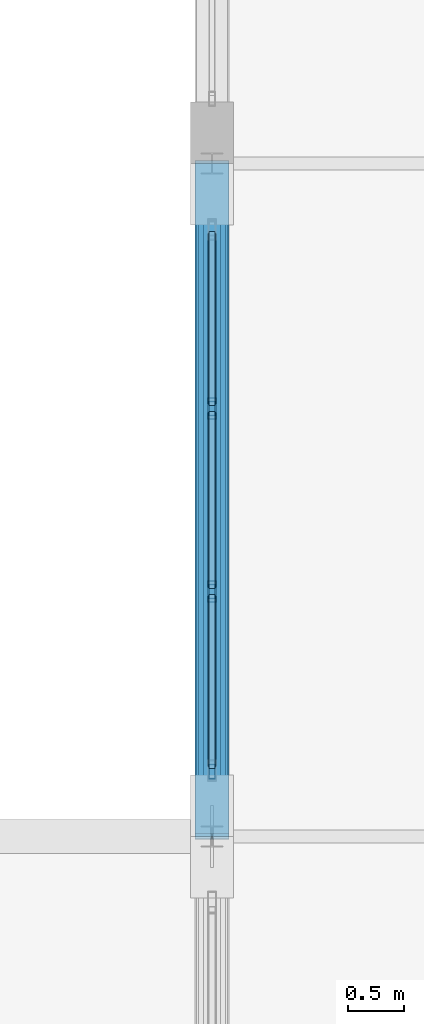
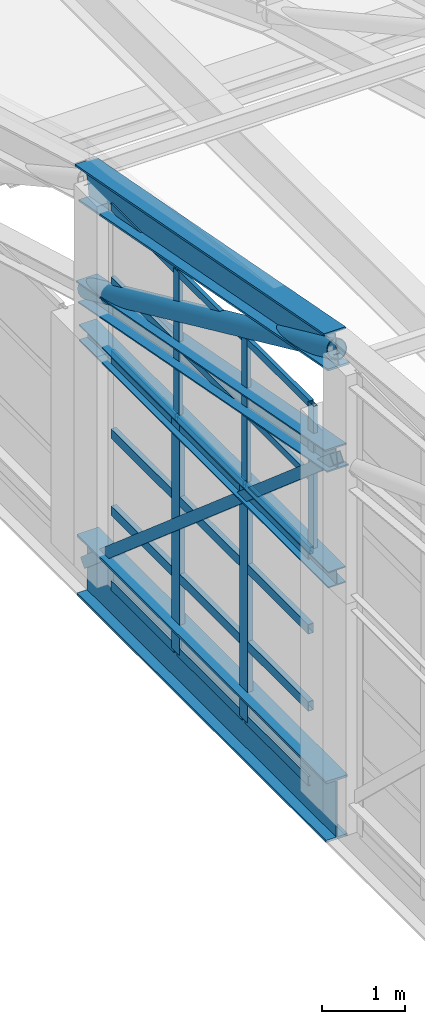
# One storey, part 84 of 204: 32 members, 2 elements without a shape of their own.
"""IFC4 building model written with IfcOpenShell, lengths in metres."""

from ifc_helpers import new_model, si_unit, direction, frame, origin, origin_2d, place, context, subcontext, project, spatial, hollow_rectangle, hollow_circle, i_section, extrude, material, layer, layer_set, material_profile, profile_set, type_object, element, aggregate, save


model = new_model("IFC4")

# Units and contexts
model_context = context("Model", 3, precision=1e-05, world=origin(), true_north=direction((0.0, 1.0)))
body_context = subcontext(model_context, "Body", "Model", "MODEL_VIEW")
ifc_project = project(units=[si_unit("LENGTHUNIT", "METRE"), si_unit("AREAUNIT", "SQUARE_METRE"), si_unit("VOLUMEUNIT", "CUBIC_METRE"), si_unit("PLANEANGLEUNIT", "RADIAN"), si_unit("MASSUNIT", "GRAM", prefix="KILO")], contexts=[model_context])

# Site, building, storey
site_placement = place(None, origin())
site = spatial("IfcSite", under=ifc_project, at=site_placement, CompositionType="ELEMENT")
building_placement = place(site_placement, origin())
building = spatial("IfcBuilding", under=site, at=building_placement, Name="Zilviju Railside Exhibition Hall", CompositionType="ELEMENT")
storey_placement = place(building_placement, frame((0.0, 0.0, 21.0)))
storey = spatial("IfcBuildingStorey", under=building, at=storey_placement, Name="RF", CompositionType="ELEMENT", Elevation=21.0)

# Curtain wall, members
ifc_material_1 = material(Name="Thermally broken aluminium-steel triple-glazed curtain wall", Category="steel")
ifc_layer_1 = layer(ifc_material_1, 0.179931640625)
ifc_layer_set_1 = layer_set([ifc_layer_1], Name="Thermally broken aluminium-steel triple-glazed curtain wall")
curtain_wall_type_1 = type_object("IfcCurtainWallType", Name="CW-BAY-12", PredefinedType="USERDEFINED", material=ifc_layer_set_1)
curtain_wall_1_placement = place(storey_placement, origin())
curtain_wall_1 = element("IfcCurtainWall", 1, at=curtain_wall_1_placement, inside=storey, type_object=curtain_wall_type_1, Name="North Hall Crown Arch Tympanum Glazing West P7", ObjectType="GLAZED CURTAIN WALL", PredefinedType="USERDEFINED")
ifc_material_2 = material(Name="Thermally broken anodized aluminium mullion", Category="aluminium")
ifc_material_profile_1 = material_profile(ifc_material_2, hollow_rectangle(XDim=0.054931640625, YDim=0.1298828125, WallThickness=0.0048828125, at=origin_2d()), Name="MULLION 130x55x5")
ifc_profile_set_1 = profile_set([ifc_material_profile_1], Name="Thermally broken anodized aluminium mullion")
member_type_1 = type_object("IfcMemberType", Name="CWM-55x130", PredefinedType="MULLION", material=ifc_profile_set_1)
member_1_placement = place(storey_placement, frame((78.0, 120.577392578125, -0.199951171875), z_axis=(0.0, 0.0, 1.0), x_axis=(-1.0, 0.0, 0.0)))
member_1 = element("IfcMember", 2, at=member_1_placement, type_object=member_type_1, Name="CW-12 mullion 1", PredefinedType="MULLION", context=body_context, shape_type="SweptSolid", body=[
    extrude(hollow_rectangle(XDim=0.054931640625, YDim=0.1298828125, WallThickness=0.0048828125, at=origin_2d()), origin(), (0.0, 0.0, 1.0), 2.209716796875),
])
member_2_placement = place(storey_placement, frame((78.0, 122.183349609375, -0.199951171875), z_axis=(0.0, 0.0, 1.0), x_axis=(-1.0, 0.0, 0.0)))
member_2 = element("IfcMember", 3, at=member_2_placement, type_object=member_type_1, Name="CW-12 mullion 2", PredefinedType="MULLION", context=body_context, shape_type="SweptSolid", body=[
    extrude(hollow_rectangle(XDim=0.054931640625, YDim=0.1298828125, WallThickness=0.0048828125, at=origin_2d()), origin(), (0.0, 0.0, 1.0), 2.209716796875),
])
member_3_placement = place(storey_placement, frame((78.0, 123.816650390625, -0.199951171875), z_axis=(0.0, 0.0, 1.0), x_axis=(-1.0, 0.0, 0.0)))
member_3 = element("IfcMember", 4, at=member_3_placement, type_object=member_type_1, Name="CW-12 mullion 3", PredefinedType="MULLION", context=body_context, shape_type="SweptSolid", body=[
    extrude(hollow_rectangle(XDim=0.054931640625, YDim=0.1298828125, WallThickness=0.0048828125, at=origin_2d()), origin(), (0.0, 0.0, 1.0), 2.209716796875),
])

ifc_layer_2 = layer(ifc_material_1, 0.179931640625)
ifc_layer_set_2 = layer_set([ifc_layer_2], Name="Thermally broken aluminium-steel triple-glazed curtain wall")
curtain_wall_type_2 = type_object("IfcCurtainWallType", Name="CW-BAY-05", PredefinedType="USERDEFINED", material=ifc_layer_set_2)
curtain_wall_2_placement = place(storey_placement, origin())
curtain_wall_2 = element("IfcCurtainWall", 5, at=curtain_wall_2_placement, inside=storey, type_object=curtain_wall_type_2, Name="North Hall Arch Lower Tympanum Glazing West P7", ObjectType="GLAZED CURTAIN WALL", PredefinedType="USERDEFINED")
ifc_material_profile_2 = material_profile(ifc_material_2, hollow_rectangle(XDim=0.074951171875, YDim=0.18994140625, WallThickness=0.0048828125, at=origin_2d()), Name="MULLION 190x75x5")
ifc_profile_set_2 = profile_set([ifc_material_profile_2], Name="Thermally broken anodized aluminium mullion")
member_type_2 = type_object("IfcMemberType", Name="CWM-75x190", PredefinedType="MULLION", material=ifc_profile_set_2)
member_4_placement = place(storey_placement, frame((78.0, 122.183349609375, -3.60009765625), z_axis=(0.0, 0.0, 1.0), x_axis=(-1.0, 0.0, 0.0)))
member_4 = element("IfcMember", 6, at=member_4_placement, type_object=member_type_2, Name="CW-05 mullion 2", PredefinedType="MULLION", context=body_context, shape_type="SweptSolid", body=[
    extrude(hollow_rectangle(XDim=0.074951171875, YDim=0.18994140625, WallThickness=0.0048828125, at=origin_2d()), origin(), (0.0, 0.0, 1.0), 3.400146484375),
])
member_5_placement = place(storey_placement, frame((78.0, 123.816650390625, -3.60009765625), z_axis=(0.0, 0.0, 1.0), x_axis=(-1.0, 0.0, 0.0)))
member_5 = element("IfcMember", 7, at=member_5_placement, type_object=member_type_2, Name="CW-05 mullion 3", PredefinedType="MULLION", context=body_context, shape_type="SweptSolid", body=[
    extrude(hollow_rectangle(XDim=0.074951171875, YDim=0.18994140625, WallThickness=0.0048828125, at=origin_2d()), origin(), (0.0, 0.0, 1.0), 3.400146484375),
])

# Member
ifc_material_3 = material(Name="Thermally broken anodized aluminium transom", Category="aluminium")
ifc_material_profile_3 = material_profile(ifc_material_3, hollow_rectangle(XDim=0.054931640625, YDim=0.10498046875, WallThickness=0.0048828125, at=origin_2d()), Name="TRANSOM 105x55x5")
ifc_profile_set_3 = profile_set([ifc_material_profile_3], Name="Thermally broken anodized aluminium transom")
member_type_3 = type_object("IfcMemberType", Name="CWT-55x105", PredefinedType="USERDEFINED", material=ifc_profile_set_3)
member_6_placement = place(storey_placement, frame((78.0, 120.60498046875, -0.172607421875), z_axis=(0.0, 1.0, 0.0), x_axis=(-1.0, 0.0, 0.0)))
member_6 = element("IfcMember", 8, at=member_6_placement, type_object=member_type_3, Name="CW-12 transom 1.1", ObjectType="TRANSOM", PredefinedType="USERDEFINED", context=body_context, shape_type="SweptSolid", body=[
    extrude(hollow_rectangle(XDim=0.054931640625, YDim=0.10498046875, WallThickness=0.0048828125, at=origin_2d()), origin(), (0.0, 0.0, 1.0), 1.55078125),
])

member_7_placement = place(storey_placement, frame((78.0, 120.60498046875, 0.905029296875), z_axis=(0.0, 1.0, 0.0), x_axis=(-1.0, 0.0, 0.0)))
member_7 = element("IfcMember", 9, at=member_7_placement, type_object=member_type_3, Name="CW-12 transom 1.2", ObjectType="TRANSOM", PredefinedType="USERDEFINED", context=body_context, shape_type="SweptSolid", body=[
    extrude(hollow_rectangle(XDim=0.054931640625, YDim=0.10498046875, WallThickness=0.0048828125, at=origin_2d()), origin(), (0.0, 0.0, 1.0), 1.55078125),
])

member_8_placement = place(storey_placement, frame((78.0, 120.60498046875, 1.982421875), z_axis=(0.0, 1.0, 0.0), x_axis=(-1.0, 0.0, 0.0)))
member_8 = element("IfcMember", 10, at=member_8_placement, type_object=member_type_3, Name="CW-12 transom 1.3", ObjectType="TRANSOM", PredefinedType="USERDEFINED", context=body_context, shape_type="SweptSolid", body=[
    extrude(hollow_rectangle(XDim=0.054931640625, YDim=0.10498046875, WallThickness=0.0048828125, at=origin_2d()), origin(), (0.0, 0.0, 1.0), 1.55078125),
])

member_9_placement = place(storey_placement, frame((78.0, 122.2109375, -0.172607421875), z_axis=(0.0, 1.0, 0.0), x_axis=(-1.0, 0.0, 0.0)))
member_9 = element("IfcMember", 11, at=member_9_placement, type_object=member_type_3, Name="CW-12 transom 2.1", ObjectType="TRANSOM", PredefinedType="USERDEFINED", context=body_context, shape_type="SweptSolid", body=[
    extrude(hollow_rectangle(XDim=0.054931640625, YDim=0.10498046875, WallThickness=0.0048828125, at=origin_2d()), origin(), (0.0, 0.0, 1.0), 1.578125),
])

member_10_placement = place(storey_placement, frame((78.0, 122.2109375, 0.905029296875), z_axis=(0.0, 1.0, 0.0), x_axis=(-1.0, 0.0, 0.0)))
member_10 = element("IfcMember", 12, at=member_10_placement, type_object=member_type_3, Name="CW-12 transom 2.2", ObjectType="TRANSOM", PredefinedType="USERDEFINED", context=body_context, shape_type="SweptSolid", body=[
    extrude(hollow_rectangle(XDim=0.054931640625, YDim=0.10498046875, WallThickness=0.0048828125, at=origin_2d()), origin(), (0.0, 0.0, 1.0), 1.578125),
])

member_11_placement = place(storey_placement, frame((78.0, 122.2109375, 1.982421875), z_axis=(0.0, 1.0, 0.0), x_axis=(-1.0, 0.0, 0.0)))
member_11 = element("IfcMember", 13, at=member_11_placement, type_object=member_type_3, Name="CW-12 transom 2.3", ObjectType="TRANSOM", PredefinedType="USERDEFINED", context=body_context, shape_type="SweptSolid", body=[
    extrude(hollow_rectangle(XDim=0.054931640625, YDim=0.10498046875, WallThickness=0.0048828125, at=origin_2d()), origin(), (0.0, 0.0, 1.0), 1.578125),
])

member_12_placement = place(storey_placement, frame((78.0, 123.84423828125, -0.172607421875), z_axis=(0.0, 1.0, 0.0), x_axis=(-1.0, 0.0, 0.0)))
member_12 = element("IfcMember", 14, at=member_12_placement, type_object=member_type_3, Name="CW-12 transom 3.1", ObjectType="TRANSOM", PredefinedType="USERDEFINED", context=body_context, shape_type="SweptSolid", body=[
    extrude(hollow_rectangle(XDim=0.054931640625, YDim=0.10498046875, WallThickness=0.0048828125, at=origin_2d()), origin(), (0.0, 0.0, 1.0), 1.55078125),
])

member_13_placement = place(storey_placement, frame((78.0, 123.84423828125, 0.905029296875), z_axis=(0.0, 1.0, 0.0), x_axis=(-1.0, 0.0, 0.0)))
member_13 = element("IfcMember", 15, at=member_13_placement, type_object=member_type_3, Name="CW-12 transom 3.2", ObjectType="TRANSOM", PredefinedType="USERDEFINED", context=body_context, shape_type="SweptSolid", body=[
    extrude(hollow_rectangle(XDim=0.054931640625, YDim=0.10498046875, WallThickness=0.0048828125, at=origin_2d()), origin(), (0.0, 0.0, 1.0), 1.55078125),
])

member_14_placement = place(storey_placement, frame((78.0, 123.84423828125, 1.982421875), z_axis=(0.0, 1.0, 0.0), x_axis=(-1.0, 0.0, 0.0)))
member_14 = element("IfcMember", 16, at=member_14_placement, type_object=member_type_3, Name="CW-12 transom 3.3", ObjectType="TRANSOM", PredefinedType="USERDEFINED", context=body_context, shape_type="SweptSolid", body=[
    extrude(hollow_rectangle(XDim=0.054931640625, YDim=0.10498046875, WallThickness=0.0048828125, at=origin_2d()), origin(), (0.0, 0.0, 1.0), 1.55078125),
])

aggregate(curtain_wall_1, [member_1, member_2, member_3, member_6, member_7, member_8, member_9, member_10, member_11, member_12, member_13, member_14])

ifc_material_profile_4 = material_profile(ifc_material_3, hollow_rectangle(XDim=0.074951171875, YDim=0.139892578125, WallThickness=0.0048828125, at=origin_2d()), Name="TRANSOM 140x75x5")
ifc_profile_set_4 = profile_set([ifc_material_profile_4], Name="Thermally broken anodized aluminium transom")
member_type_4 = type_object("IfcMemberType", Name="CWT-75x140", PredefinedType="USERDEFINED", material=ifc_profile_set_4)
member_15_placement = place(storey_placement, frame((78.0, 120.625, -3.5625), z_axis=(0.0, 1.0, 0.0), x_axis=(-1.0, 0.0, 0.0)))
member_15 = element("IfcMember", 17, at=member_15_placement, type_object=member_type_4, Name="CW-05 transom 1.1", ObjectType="TRANSOM", PredefinedType="USERDEFINED", context=body_context, shape_type="SweptSolid", body=[
    extrude(hollow_rectangle(XDim=0.074951171875, YDim=0.139892578125, WallThickness=0.0048828125, at=origin_2d()), origin(), (0.0, 0.0, 1.0), 1.520751953125),
])

member_16_placement = place(storey_placement, frame((78.0, 120.625, -2.467041015625), z_axis=(0.0, 1.0, 0.0), x_axis=(-1.0, 0.0, 0.0)))
member_16 = element("IfcMember", 18, at=member_16_placement, type_object=member_type_4, Name="CW-05 transom 1.2", ObjectType="TRANSOM", PredefinedType="USERDEFINED", context=body_context, shape_type="SweptSolid", body=[
    extrude(hollow_rectangle(XDim=0.074951171875, YDim=0.139892578125, WallThickness=0.0048828125, at=origin_2d()), origin(), (0.0, 0.0, 1.0), 1.520751953125),
])

member_17_placement = place(storey_placement, frame((78.0, 120.625, -1.3330078125), z_axis=(0.0, 1.0, 0.0), x_axis=(-1.0, 0.0, 0.0)))
member_17 = element("IfcMember", 19, at=member_17_placement, type_object=member_type_4, Name="CW-05 transom 1.3", ObjectType="TRANSOM", PredefinedType="USERDEFINED", context=body_context, shape_type="SweptSolid", body=[
    extrude(hollow_rectangle(XDim=0.074951171875, YDim=0.139892578125, WallThickness=0.0048828125, at=origin_2d()), origin(), (0.0, 0.0, 1.0), 1.520751953125),
])

member_18_placement = place(storey_placement, frame((78.0, 120.625, -0.237548828125), z_axis=(0.0, 1.0, 0.0), x_axis=(-1.0, 0.0, 0.0)))
member_18 = element("IfcMember", 20, at=member_18_placement, type_object=member_type_4, Name="CW-05 transom 1.4", ObjectType="TRANSOM", PredefinedType="USERDEFINED", context=body_context, shape_type="SweptSolid", body=[
    extrude(hollow_rectangle(XDim=0.074951171875, YDim=0.139892578125, WallThickness=0.0048828125, at=origin_2d()), origin(), (0.0, 0.0, 1.0), 1.520751953125),
])

member_19_placement = place(storey_placement, frame((78.0, 122.220947265625, -3.5625), z_axis=(0.0, 1.0, 0.0), x_axis=(-1.0, 0.0, 0.0)))
member_19 = element("IfcMember", 21, at=member_19_placement, type_object=member_type_4, Name="CW-05 transom 2.1", ObjectType="TRANSOM", PredefinedType="USERDEFINED", context=body_context, shape_type="SweptSolid", body=[
    extrude(hollow_rectangle(XDim=0.074951171875, YDim=0.139892578125, WallThickness=0.0048828125, at=origin_2d()), origin(), (0.0, 0.0, 1.0), 1.55810546875),
])

member_20_placement = place(storey_placement, frame((78.0, 122.220947265625, -2.467041015625), z_axis=(0.0, 1.0, 0.0), x_axis=(-1.0, 0.0, 0.0)))
member_20 = element("IfcMember", 22, at=member_20_placement, type_object=member_type_4, Name="CW-05 transom 2.2", ObjectType="TRANSOM", PredefinedType="USERDEFINED", context=body_context, shape_type="SweptSolid", body=[
    extrude(hollow_rectangle(XDim=0.074951171875, YDim=0.139892578125, WallThickness=0.0048828125, at=origin_2d()), origin(), (0.0, 0.0, 1.0), 1.55810546875),
])

member_21_placement = place(storey_placement, frame((78.0, 122.220947265625, -1.3330078125), z_axis=(0.0, 1.0, 0.0), x_axis=(-1.0, 0.0, 0.0)))
member_21 = element("IfcMember", 23, at=member_21_placement, type_object=member_type_4, Name="CW-05 transom 2.3", ObjectType="TRANSOM", PredefinedType="USERDEFINED", context=body_context, shape_type="SweptSolid", body=[
    extrude(hollow_rectangle(XDim=0.074951171875, YDim=0.139892578125, WallThickness=0.0048828125, at=origin_2d()), origin(), (0.0, 0.0, 1.0), 1.55810546875),
])

member_22_placement = place(storey_placement, frame((78.0, 122.220947265625, -0.237548828125), z_axis=(0.0, 1.0, 0.0), x_axis=(-1.0, 0.0, 0.0)))
member_22 = element("IfcMember", 24, at=member_22_placement, type_object=member_type_4, Name="CW-05 transom 2.4", ObjectType="TRANSOM", PredefinedType="USERDEFINED", context=body_context, shape_type="SweptSolid", body=[
    extrude(hollow_rectangle(XDim=0.074951171875, YDim=0.139892578125, WallThickness=0.0048828125, at=origin_2d()), origin(), (0.0, 0.0, 1.0), 1.55810546875),
])

member_23_placement = place(storey_placement, frame((78.0, 123.854248046875, -3.5625), z_axis=(0.0, 1.0, 0.0), x_axis=(-1.0, 0.0, 0.0)))
member_23 = element("IfcMember", 25, at=member_23_placement, type_object=member_type_4, Name="CW-05 transom 3.1", ObjectType="TRANSOM", PredefinedType="USERDEFINED", context=body_context, shape_type="SweptSolid", body=[
    extrude(hollow_rectangle(XDim=0.074951171875, YDim=0.139892578125, WallThickness=0.0048828125, at=origin_2d()), origin(), (0.0, 0.0, 1.0), 1.520751953125),
])

member_24_placement = place(storey_placement, frame((78.0, 123.854248046875, -2.467041015625), z_axis=(0.0, 1.0, 0.0), x_axis=(-1.0, 0.0, 0.0)))
member_24 = element("IfcMember", 26, at=member_24_placement, type_object=member_type_4, Name="CW-05 transom 3.2", ObjectType="TRANSOM", PredefinedType="USERDEFINED", context=body_context, shape_type="SweptSolid", body=[
    extrude(hollow_rectangle(XDim=0.074951171875, YDim=0.139892578125, WallThickness=0.0048828125, at=origin_2d()), origin(), (0.0, 0.0, 1.0), 1.520751953125),
])

member_25_placement = place(storey_placement, frame((78.0, 123.854248046875, -1.3330078125), z_axis=(0.0, 1.0, 0.0), x_axis=(-1.0, 0.0, 0.0)))
member_25 = element("IfcMember", 27, at=member_25_placement, type_object=member_type_4, Name="CW-05 transom 3.3", ObjectType="TRANSOM", PredefinedType="USERDEFINED", context=body_context, shape_type="SweptSolid", body=[
    extrude(hollow_rectangle(XDim=0.074951171875, YDim=0.139892578125, WallThickness=0.0048828125, at=origin_2d()), origin(), (0.0, 0.0, 1.0), 1.520751953125),
])

member_26_placement = place(storey_placement, frame((78.0, 123.854248046875, -0.237548828125), z_axis=(0.0, 1.0, 0.0), x_axis=(-1.0, 0.0, 0.0)))
member_26 = element("IfcMember", 28, at=member_26_placement, type_object=member_type_4, Name="CW-05 transom 3.4", ObjectType="TRANSOM", PredefinedType="USERDEFINED", context=body_context, shape_type="SweptSolid", body=[
    extrude(hollow_rectangle(XDim=0.074951171875, YDim=0.139892578125, WallThickness=0.0048828125, at=origin_2d()), origin(), (0.0, 0.0, 1.0), 1.520751953125),
])

aggregate(curtain_wall_2, [member_4, member_5, member_15, member_16, member_17, member_18, member_19, member_20, member_21, member_22, member_23, member_24, member_25, member_26])

# Members
ifc_material_4 = material(Name="Steel S355ML", Category="steel")
ifc_material_profile_5 = material_profile(ifc_material_4, hollow_circle(Radius=0.136474609375, WallThickness=0.012451171875, at=origin_2d()), Name="CHS 273.0x12.5")
ifc_profile_set_5 = profile_set([ifc_material_profile_5], Name="Steel S355ML")
member_type_5 = type_object("IfcMemberType", Name="TR-BR-CHS273", PredefinedType="BRACE", material=ifc_profile_set_5)
member_27_placement = place(storey_placement, frame((78.0, 120.0, 3.155517578125), z_axis=(0.0, 0.909316915895, -0.416104249518), x_axis=(-1.0, 0.0, 0.0)))
element("IfcMember", 29, at=member_27_placement, inside=storey, type_object=member_type_5, Name="V2 Parabolic Arch Web Diagonal X=78.0 P7", PredefinedType="BRACE", context=body_context, shape_type="SweptSolid", body=[
    extrude(hollow_circle(Radius=0.136474609375, WallThickness=0.012451171875, at=origin_2d()), origin(), (0.0, 0.0, 1.0), 6.598388671875),
])
ifc_material_5 = material(Name="Steel S355J2", Category="steel")
ifc_material_profile_6 = material_profile(ifc_material_5, i_section(OverallWidth=0.239990234375, OverallDepth=0.239990234375, WebThickness=0.010009765625, FlangeThickness=0.01708984375, at=origin_2d()), Name="HEB 240")
ifc_profile_set_6 = profile_set([ifc_material_profile_6], Name="Steel S355J2")
member_type_6 = type_object("IfcMemberType", Name="TR-CH-HEB240", PredefinedType="CHORD", material=ifc_profile_set_6)
member_28_placement = place(storey_placement, frame((78.0, 120.0, -0.199951171875), z_axis=(0.0, 1.0, 0.0), x_axis=(-1.0, 0.0, 0.0)))
element("IfcMember", 30, at=member_28_placement, inside=storey, type_object=member_type_6, Name="V2 Crown Gable Transom X=78.0 (120..126)", PredefinedType="CHORD", context=body_context, shape_type="SweptSolid", body=[
    extrude(i_section(OverallWidth=0.239990234375, OverallDepth=0.239990234375, WebThickness=0.010009765625, FlangeThickness=0.01708984375, at=origin_2d()), origin(), (0.0, 0.0, 1.0), 6.0),
])
ifc_material_profile_7 = material_profile(ifc_material_4, i_section(OverallWidth=0.300048828125, OverallDepth=0.300048828125, WebThickness=0.010986328125, FlangeThickness=0.01904296875, at=origin_2d()), Name="HEB 300")
ifc_profile_set_7 = profile_set([ifc_material_profile_7], Name="Steel S355ML")
member_type_7 = type_object("IfcMemberType", Name="TR-CH-HEB300", PredefinedType="CHORD", material=ifc_profile_set_7)
member_29_placement = place(storey_placement, frame((78.0, 120.0, 1.5556640625), z_axis=(0.0, 0.98225135267, -0.187569400964), x_axis=(-1.0, 0.0, 0.0)))
element("IfcMember", 31, at=member_29_placement, inside=storey, type_object=member_type_7, Name="V2 Parabolic Arch Bottom Chord X=78.0 P7", PredefinedType="CHORD", context=body_context, shape_type="SweptSolid", body=[
    extrude(i_section(OverallWidth=0.300048828125, OverallDepth=0.300048828125, WebThickness=0.010986328125, FlangeThickness=0.01904296875, at=origin_2d()), origin(), (0.0, 0.0, 1.0), 6.1083984375),
])
ifc_material_profile_8 = material_profile(ifc_material_4, i_section(OverallWidth=0.300048828125, OverallDepth=0.5, WebThickness=0.014404296875, FlangeThickness=0.028076171875, at=origin_2d()), Name="HEB 500")
ifc_profile_set_8 = profile_set([ifc_material_profile_8], Name="Steel S355ML")
member_type_8 = type_object("IfcMemberType", Name="TR-CH-HEB500-ML", PredefinedType="CHORD", material=ifc_profile_set_8)
member_30_placement = place(storey_placement, frame((78.0, 120.0, 3.155517578125), z_axis=(0.0, 0.98225135267, -0.187569400964), x_axis=(-1.0, 0.0, 0.0)))
element("IfcMember", 32, at=member_30_placement, inside=storey, type_object=member_type_8, Name="V2 Parabolic Arch Top Chord X=78.0 P7", PredefinedType="CHORD", context=body_context, shape_type="SweptSolid", body=[
    extrude(i_section(OverallWidth=0.300048828125, OverallDepth=0.5, WebThickness=0.014404296875, FlangeThickness=0.028076171875, at=origin_2d()), origin(), (0.0, 0.0, 1.0), 6.1083984375),
])
ifc_material_profile_9 = material_profile(ifc_material_5, hollow_rectangle(XDim=0.14990234375, YDim=0.14990234375, WallThickness=0.008056640625, at=origin_2d()), Name="SHS 150x150x8.0")
ifc_profile_set_9 = profile_set([ifc_material_profile_9], Name="Steel S355J2")
member_type_9 = type_object("IfcMemberType", Name="TR-POST-SHS150", PredefinedType="POST", material=ifc_profile_set_9)
member_31_placement = place(storey_placement, frame((78.0, 126.0, -3.60009765625), z_axis=(0.0, -0.758449992634, 0.651731239602), x_axis=(1.0, 0.0, 0.0)))
element("IfcMember", 33, at=member_31_placement, inside=storey, type_object=member_type_9, Name="V2 Arch Tie Hanger X=78.0 N7", PredefinedType="POST", context=body_context, shape_type="SweptSolid", body=[
    extrude(hollow_rectangle(XDim=0.14990234375, YDim=0.14990234375, WallThickness=0.008056640625, at=origin_2d()), origin(), (0.0, 0.0, 1.0), 7.910888671875),
])
ifc_material_profile_10 = material_profile(ifc_material_5, i_section(OverallWidth=0.300048828125, OverallDepth=0.89990234375, WebThickness=0.0185546875, FlangeThickness=0.034912109375, at=origin_2d()), Name="HEB 900")
ifc_profile_set_10 = profile_set([ifc_material_profile_10], Name="Steel S355J2")
member_type_10 = type_object("IfcMemberType", Name="TR-TIE-HEB900", PredefinedType="CHORD", material=ifc_profile_set_10)
member_32_placement = place(storey_placement, frame((78.0, 120.0, -3.60009765625), z_axis=(0.0, 1.0, 0.0), x_axis=(-1.0, 0.0, 0.0)))
element("IfcMember", 34, at=member_32_placement, inside=storey, type_object=member_type_10, Name="V2 Arch Tie Member X=78.0", PredefinedType="CHORD", context=body_context, shape_type="SweptSolid", body=[
    extrude(i_section(OverallWidth=0.300048828125, OverallDepth=0.89990234375, WebThickness=0.0185546875, FlangeThickness=0.034912109375, at=origin_2d()), origin(), (0.0, 0.0, 1.0), 6.0),
])

save(model, "model.ifc")
